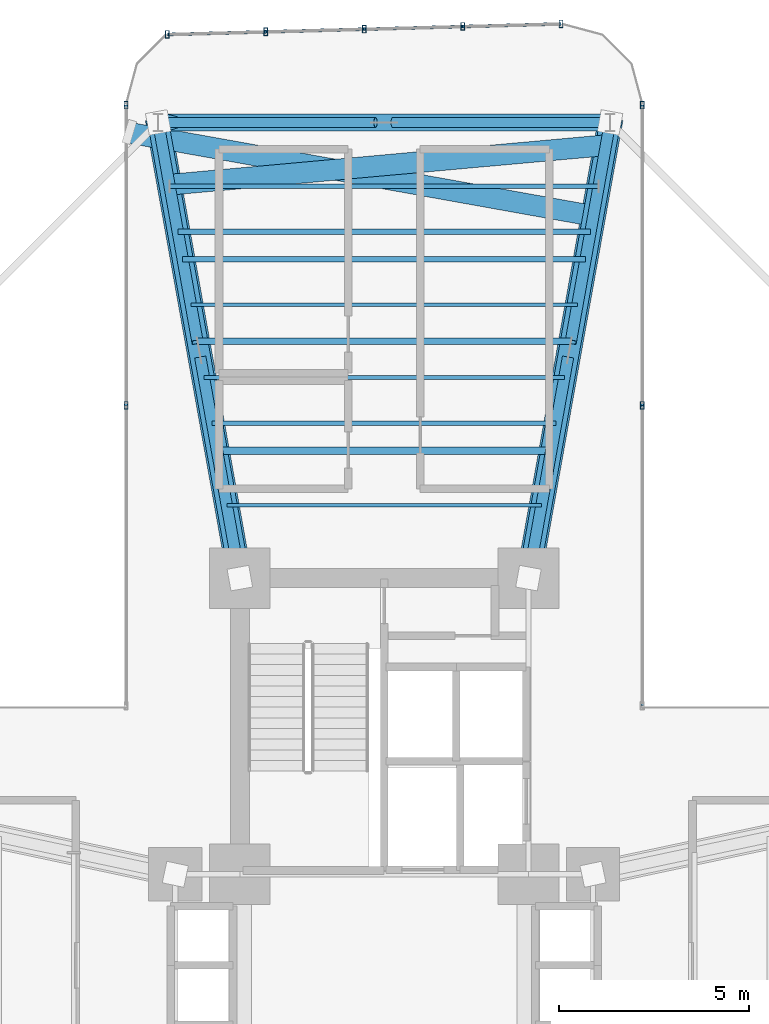
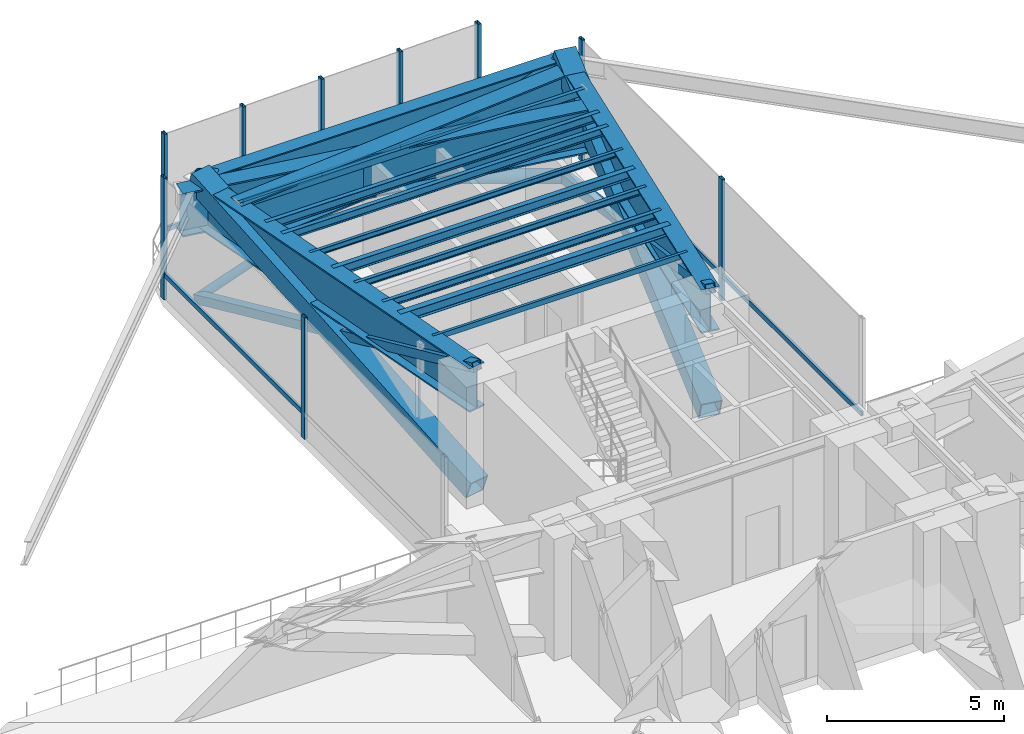
# One storey, part 8 of 18: 25 members, 14 beams, 3 elements without a shape of their own.
"""IFC4 building model written with IfcOpenShell, lengths in metres."""

from ifc_helpers import new_model, si_unit, direction, frame, origin, origin_2d, place, context, subcontext, project, spatial, hollow_rectangle, hollow_circle, i_section, extrude, source, transform, mapped, material, material_profile, profile_set, type_object, element, aggregate, save


model = new_model("IFC4")

# Units and contexts
model_context = context("Model", 3, precision=1e-05, world=origin(), true_north=direction((0.0, 1.0)))
body_context = subcontext(model_context, "Body", "Model", "MODEL_VIEW")
ifc_project = project(units=[si_unit("LENGTHUNIT", "METRE"), si_unit("AREAUNIT", "SQUARE_METRE"), si_unit("VOLUMEUNIT", "CUBIC_METRE"), si_unit("PLANEANGLEUNIT", "RADIAN"), si_unit("MASSUNIT", "GRAM", prefix="KILO")], contexts=[model_context])

# Site, building, storey
site_placement = place(None, origin())
site = spatial("IfcSite", under=ifc_project, at=site_placement, CompositionType="ELEMENT")
building_placement = place(site_placement, origin())
building = spatial("IfcBuilding", under=site, at=building_placement, Name="Sahyath Konkavel Grand Hotel", CompositionType="ELEMENT")
storey_placement = place(building_placement, frame((0.0, 0.0, 74.5)))
storey = spatial("IfcBuildingStorey", under=building, at=storey_placement, Name="L20", CompositionType="ELEMENT", Elevation=74.5)

# Beams
ifc_material_1 = material(Name="Steel E450", Category="steel")
ifc_material_profile_1 = material_profile(ifc_material_1, i_section(OverallWidth=0.550048828125, OverallDepth=1.5, WebThickness=0.028076171875, FlangeThickness=0.050048828125, at=origin_2d()), Name="BPG 1500x550")
ifc_profile_set_1 = profile_set([ifc_material_profile_1], Name="Steel E450")
beam_type_1 = type_object("IfcBeamType", Name="BM-BPG1500", PredefinedType="BEAM", material=ifc_profile_set_1)
shared_shape_1 = source(origin(), body_context, "Body", "SweptSolid", [
    extrude(i_section(OverallWidth=0.550048828125, OverallDepth=1.5, WebThickness=0.028076171875, FlangeThickness=0.050048828125, at=origin_2d()), origin(), (0.0, 0.0, 1.0), 12.191162109375),
])
for number, where, z_axis, x_axis, name in (
    (1, (3.800048828125, 10.199951171875, 3.429931640625), (0.176350650305, 0.984327409014, 0.0), (-0.984327409014, 0.176350650305, 0.0), "L20 Setback Transfer Girder NA"),
    (2, (-3.800048828125, 10.199951171875, 3.429931640625), (-0.176350650305, 0.984327409014, 0.0), (-0.984327409014, -0.176350650305, 0.0), "L20 Setback Transfer Girder NB"),
):
    element("IfcBeam", number, at=place(storey_placement, frame(where, z_axis=z_axis, x_axis=x_axis)), inside=storey, type_object=beam_type_1, Name=name, PredefinedType="BEAM", context=body_context, shape_type="MappedRepresentation", body=[
        mapped(shared_shape_1, transform((0.0, 0.0, 0.0), scale=1.0)),
    ])

# Members
ifc_material_profile_2 = material_profile(ifc_material_1, hollow_rectangle(XDim=0.64990234375, YDim=0.64990234375, WallThickness=0.031982421875, at=origin_2d()), Name="BOX 650x650x32")
ifc_profile_set_2 = profile_set([ifc_material_profile_2], Name="Steel E450")
member_type_1 = type_object("IfcMemberType", Name="BR-BOX650", PredefinedType="BRACE", material=ifc_profile_set_2)
shared_shape_2 = source(origin(), body_context, "Body", "SweptSolid", [
    extrude(hollow_rectangle(XDim=0.64990234375, YDim=0.64990234375, WallThickness=0.031982421875, at=origin_2d()), origin(), (0.0, 0.0, 1.0), 12.88134765625),
])
for number, where, z_axis, x_axis, name in (
    (3, (3.800048828125, 10.199951171875, 0.010009765625), (0.166901511413, 0.931585633543, 0.322942863158), (-0.984327409014, 0.176350650305, 0.0), "L20 Core Outrigger Truss NA Continuous Diagonal 1"),
    (4, (-3.800048828125, 10.199951171875, 0.010009765625), (-0.166901511413, 0.931585633543, 0.322942863158), (-0.984327409014, -0.176350650305, 0.0), "L20 Core Outrigger Truss NB Continuous Diagonal 1"),
):
    element("IfcMember", number, at=place(storey_placement, frame(where, z_axis=z_axis, x_axis=x_axis)), inside=storey, type_object=member_type_1, Name=name, PredefinedType="BRACE", context=body_context, shape_type="MappedRepresentation", body=[
        mapped(shared_shape_2, transform((0.0, 0.0, 0.0), scale=1.0)),
    ])

# Beams
ifc_material_2 = material(Name="Steel E350", Category="steel")
ifc_material_profile_3 = material_profile(ifc_material_2, i_section(OverallWidth=0.199951171875, OverallDepth=0.35009765625, WebThickness=0.008056640625, FlangeThickness=0.011474609375, FilletRadius=0.013916015625, at=origin_2d()), Name="ISWB 350")
ifc_profile_set_3 = profile_set([ifc_material_profile_3], Name="Steel E350")
beam_type_2 = type_object("IfcBeamType", Name="BM-ISWB350", PredefinedType="BEAM", material=ifc_profile_set_3)
shared_shape_3 = source(origin(), body_context, "Body", "SweptSolid", [
    extrude(i_section(OverallWidth=0.199951171875, OverallDepth=0.35009765625, WebThickness=0.008056640625, FlangeThickness=0.011474609375, FilletRadius=0.013916015625, at=origin_2d()), origin(), (0.0, 0.0, 1.0), 8.80419921875),
])
beam_1_placement = place(storey_placement, frame((4.402099609375, 13.56005859375, 4.0048828125), z_axis=(-1.0, 0.0, 0.0), x_axis=(0.0, -1.0, 0.0)))
element("IfcBeam", 5, at=beam_1_placement, inside=storey, type_object=beam_type_2, Name="L20 Secondary Floor Beam N-1", PredefinedType="BEAM", context=body_context, shape_type="MappedRepresentation", body=[
    mapped(shared_shape_3, transform((0.0, 0.0, 0.0), scale=1.0)),
])
ifc_material_profile_4 = material_profile(ifc_material_2, i_section(OverallWidth=0.1650390625, OverallDepth=0.324951171875, WebThickness=0.007080078125, FlangeThickness=0.009765625, FilletRadius=0.014892578125, at=origin_2d()), Name="ISLB 325")
ifc_profile_set_4 = profile_set([ifc_material_profile_4], Name="Steel E350")
beam_type_3 = type_object("IfcBeamType", Name="BM-ISLB325", PredefinedType="BEAM", material=ifc_profile_set_4)
shared_shape_4 = source(origin(), body_context, "Body", "SweptSolid", [
    extrude(i_section(OverallWidth=0.1650390625, OverallDepth=0.324951171875, WebThickness=0.007080078125, FlangeThickness=0.009765625, FilletRadius=0.014892578125, at=origin_2d()), origin(), (0.0, 0.0, 1.0), 9.8359375),
])
beam_2_placement = place(storey_placement, frame((4.91796875, 16.43994140625, 4.017578125), z_axis=(-1.0, 0.0, 0.0), x_axis=(0.0, -1.0, 0.0)))
element("IfcBeam", 6, at=beam_2_placement, inside=storey, type_object=beam_type_3, Name="L20 Secondary Floor Beam N-2", PredefinedType="BEAM", context=body_context, shape_type="MappedRepresentation", body=[
    mapped(shared_shape_4, transform((0.0, 0.0, 0.0), scale=1.0)),
])
ifc_material_profile_5 = material_profile(ifc_material_2, i_section(OverallWidth=0.139892578125, OverallDepth=0.300048828125, WebThickness=0.0078125, FlangeThickness=0.01318359375, FilletRadius=0.013916015625, at=origin_2d()), Name="ISMB 300")
ifc_profile_set_5 = profile_set([ifc_material_profile_5], Name="Steel E350")
beam_type_4 = type_object("IfcBeamType", Name="BM-ISMB300", PredefinedType="BEAM", material=ifc_profile_set_5)
shared_shape_5 = source(origin(), body_context, "Body", "SweptSolid", [
    extrude(i_section(OverallWidth=0.139892578125, OverallDepth=0.300048828125, WebThickness=0.0078125, FlangeThickness=0.01318359375, FilletRadius=0.013916015625, at=origin_2d()), origin(), (0.0, 0.0, 1.0), 10.8681640625),
])
beam_3_placement = place(storey_placement, frame((5.43408203125, 19.320068359375, 4.030029296875), z_axis=(-1.0, 0.0, 0.0), x_axis=(0.0, -1.0, 0.0)))
element("IfcBeam", 7, at=beam_3_placement, inside=storey, type_object=beam_type_4, Name="L20 Secondary Floor Beam N-3", PredefinedType="BEAM", context=body_context, shape_type="MappedRepresentation", body=[
    mapped(shared_shape_5, transform((0.0, 0.0, 0.0), scale=1.0)),
])
shared_shape_6 = source(origin(), body_context, "Body", "SweptSolid", [
    extrude(i_section(OverallWidth=0.550048828125, OverallDepth=1.5, WebThickness=0.028076171875, FlangeThickness=0.050048828125, at=origin_2d()), origin(), (0.0, 0.0, 1.0), 11.545654296875),
])
beam_4_placement = place(storey_placement, frame((5.842529296875, 21.60009765625, 3.429931640625), z_axis=(-0.995938319942, -0.09003811899, 0.0), x_axis=(0.09003811899, -0.995938319942, 0.0)))
element("IfcBeam", 8, at=beam_4_placement, inside=storey, type_object=beam_type_1, Name="L20 Setback Cross Transfer Girder N-1", PredefinedType="BEAM", context=body_context, shape_type="MappedRepresentation", body=[
    mapped(shared_shape_6, transform((0.0, 0.0, 0.0), scale=1.0)),
])
shared_shape_7 = source(origin(), body_context, "Body", "SweptSolid", [
    extrude(i_section(OverallWidth=0.550048828125, OverallDepth=1.5, WebThickness=0.028076171875, FlangeThickness=0.050048828125, at=origin_2d()), origin(), (0.0, 0.0, 1.0), 12.41650390625),
])
beam_5_placement = place(storey_placement, frame((5.509033203125, 19.73828125, 3.429931640625), z_axis=(-0.984326914453, 0.176353410753, 0.0), x_axis=(-0.176353410753, -0.984326914453, 0.0)))
element("IfcBeam", 9, at=beam_5_placement, inside=storey, type_object=beam_type_1, Name="L20 Setback Cross Transfer Girder N-2", PredefinedType="BEAM", context=body_context, shape_type="MappedRepresentation", body=[
    mapped(shared_shape_7, transform((0.0, 0.0, 0.0), scale=1.0)),
])
ifc_material_profile_6 = material_profile(ifc_material_1, i_section(OverallWidth=0.449951171875, OverallDepth=1.199951171875, WebThickness=0.02197265625, FlangeThickness=0.0400390625, at=origin_2d()), Name="BPG 1200x450")
ifc_profile_set_6 = profile_set([ifc_material_profile_6], Name="Steel E450")
beam_type_5 = type_object("IfcBeamType", Name="BM-BPG1200", PredefinedType="BEAM", material=ifc_profile_set_6)
shared_shape_8 = source(origin(), body_context, "Body", "SweptSolid", [
    extrude(i_section(OverallWidth=0.449951171875, OverallDepth=1.199951171875, WebThickness=0.02197265625, FlangeThickness=0.0400390625, at=origin_2d()), origin(), (0.0, 0.0, 1.0), 11.89990234375),
])
beam_6_placement = place(storey_placement, frame((5.949951171875, 22.199951171875, 3.580078125), z_axis=(-1.0, 0.0, 0.0), x_axis=(0.0, -1.0, 0.0)))
element("IfcBeam", 10, at=beam_6_placement, inside=storey, type_object=beam_type_5, Name="L20 Wing Tip Edge Beam N", PredefinedType="BEAM", context=body_context, shape_type="MappedRepresentation", body=[
    mapped(shared_shape_8, transform((0.0, 0.0, 0.0), scale=1.0)),
])

# Members
ifc_material_profile_7 = material_profile(ifc_material_1, hollow_rectangle(XDim=0.300048828125, YDim=0.300048828125, WallThickness=0.01611328125, at=origin_2d()), Name="SHS 300x300x16")
ifc_profile_set_7 = profile_set([ifc_material_profile_7], Name="Steel E450")
member_type_2 = type_object("IfcMemberType", Name="BR-SHS300", PredefinedType="BRACE", material=ifc_profile_set_7)
shared_shape_9 = source(origin(), body_context, "Body", "SweptSolid", [
    extrude(hollow_rectangle(XDim=0.300048828125, YDim=0.300048828125, WallThickness=0.01611328125, at=origin_2d()), origin(), (0.0, 0.0, 1.0), 6.20068359375),
])
for number, where, z_axis, x_axis, name in (
    (11, (5.949951171875, 22.199951171875, 0.010009765625), (-0.16690560693, -0.931584491619, 0.322944040586), (0.984326620303, -0.176355052556, 0.0), "L20 Core Outrigger Truss NA Split Lower Diagonal 2A"),
    (12, (4.8349609375, 15.976318359375, 2.16748046875), (-0.16690560693, -0.931584491619, 0.322944040586), (0.984326620303, -0.176355052556, 0.0), "L20 Core Outrigger Truss NA Split Upper Diagonal 2B"),
    (13, (-5.949951171875, 22.199951171875, 0.010009765625), (0.16690560693, -0.931584491619, 0.322944040586), (0.984326620303, 0.176355052556, 0.0), "L20 Core Outrigger Truss NB Split Lower Diagonal 2A"),
    (14, (-4.8349609375, 15.976318359375, 2.16748046875), (0.16690560693, -0.931584491619, 0.322944040586), (0.984326620303, 0.176355052556, 0.0), "L20 Core Outrigger Truss NB Split Upper Diagonal 2B"),
):
    element("IfcMember", number, at=place(storey_placement, frame(where, z_axis=z_axis, x_axis=x_axis)), inside=storey, type_object=member_type_2, Name=name, PredefinedType="BRACE", context=body_context, shape_type="MappedRepresentation", body=[
        mapped(shared_shape_9, transform((0.0, 0.0, 0.0), scale=1.0)),
    ])
ifc_material_profile_8 = material_profile(ifc_material_1, hollow_circle(Radius=0.228515625, WallThickness=0.02001953125, at=origin_2d()), Name="CHS 457.0x20")
ifc_profile_set_8 = profile_set([ifc_material_profile_8], Name="Steel E450")
member_type_3 = type_object("IfcMemberType", Name="BR-CHS457", PredefinedType="BRACE", material=ifc_profile_set_8)
shared_shape_10 = source(origin(), body_context, "Body", "SweptSolid", [
    extrude(hollow_circle(Radius=0.228515625, WallThickness=0.02001953125, at=origin_2d()), origin(), (0.0, 0.0, 1.0), 12.60595703125),
])
member_1_placement = place(storey_placement, frame((5.949951171875, 22.199951171875, 0.010009765625), z_axis=(-0.943983289656, 0.0, 0.329993255764), x_axis=(0.0, -1.0, 0.0)))
element("IfcMember", 15, at=member_1_placement, inside=storey, type_object=member_type_3, Name="L20 Perimeter Belt Truss TIP-N Continuous Diagonal 1", PredefinedType="BRACE", context=body_context, shape_type="MappedRepresentation", body=[
    mapped(shared_shape_10, transform((0.0, 0.0, 0.0), scale=1.0)),
])
ifc_material_profile_9 = material_profile(ifc_material_2, hollow_circle(Radius=0.136474609375, WallThickness=0.011962890625, at=origin_2d()), Name="CHS 273.0x12")
ifc_profile_set_9 = profile_set([ifc_material_profile_9], Name="Steel E350")
member_type_4 = type_object("IfcMemberType", Name="BR-CHS273", PredefinedType="BRACE", material=ifc_profile_set_9)
shared_shape_11 = source(origin(), body_context, "Body", "SweptSolid", [
    extrude(hollow_circle(Radius=0.136474609375, WallThickness=0.011962890625, at=origin_2d()), origin(), (0.0, 0.0, 1.0), 6.06298828125),
])
for number, where, z_axis, x_axis, name in (
    (16, (-5.949951171875, 22.199951171875, 0.010009765625), (0.943984470097, 0.0, 0.329989878959), (0.0, 1.0, 0.0), "L20 Perimeter Belt Truss TIP-N Split Lower Diagonal 2A"),
    (17, (0.2265625, 22.199951171875, 2.169189453125), (0.943984470097, 0.0, 0.329989878959), (0.0, 1.0, 0.0), "L20 Perimeter Belt Truss TIP-N Split Upper Diagonal 2B"),
):
    element("IfcMember", number, at=place(storey_placement, frame(where, z_axis=z_axis, x_axis=x_axis)), inside=storey, type_object=member_type_4, Name=name, PredefinedType="BRACE", context=body_context, shape_type="MappedRepresentation", body=[
        mapped(shared_shape_11, transform((0.0, 0.0, 0.0), scale=1.0)),
    ])

# Beams
ifc_material_profile_10 = material_profile(ifc_material_2, hollow_rectangle(XDim=0.090087890625, YDim=0.179931640625, WallThickness=0.008056640625, at=origin_2d()), Name="RHS 180x90x8")
ifc_profile_set_10 = profile_set([ifc_material_profile_10], Name="Steel E350")
beam_type_6 = type_object("IfcBeamType", Name="BM-RHS180", PredefinedType="BEAM", material=ifc_profile_set_10)
shared_shape_12 = source(origin(), body_context, "Body", "SweptSolid", [
    extrude(hollow_rectangle(XDim=0.090087890625, YDim=0.179931640625, WallThickness=0.008056640625, at=origin_2d()), origin(), (0.0, 0.0, 1.0), 8.2880859375),
])
beam_7_placement = place(storey_placement, frame((4.14404296875, 12.1201171875, 4.090087890625), z_axis=(-1.0, 0.0, 0.0), x_axis=(0.0, -1.0, 0.0)))
element("IfcBeam", 18, at=beam_7_placement, inside=storey, type_object=beam_type_6, Name="L20 Composite Deck Sub-Beam N-1", PredefinedType="BEAM", context=body_context, shape_type="MappedRepresentation", body=[
    mapped(shared_shape_12, transform((0.0, 0.0, 0.0), scale=1.0)),
])
ifc_material_profile_11 = material_profile(ifc_material_2, i_section(OverallWidth=0.125, OverallDepth=0.25, WebThickness=0.0068359375, FlangeThickness=0.012451171875, FilletRadius=0.012939453125, at=origin_2d()), Name="ISMB 250")
ifc_profile_set_11 = profile_set([ifc_material_profile_11], Name="Steel E350")
beam_type_7 = type_object("IfcBeamType", Name="BM-ISMB250", PredefinedType="BEAM", material=ifc_profile_set_11)
shared_shape_13 = source(origin(), body_context, "Body", "SweptSolid", [
    extrude(i_section(OverallWidth=0.125, OverallDepth=0.25, WebThickness=0.0068359375, FlangeThickness=0.012451171875, FilletRadius=0.012939453125, at=origin_2d()), origin(), (0.0, 0.0, 1.0), 9.06201171875),
])
beam_8_placement = place(storey_placement, frame((4.531005859375, 14.280029296875, 4.054931640625), z_axis=(-1.0, 0.0, 0.0), x_axis=(0.0, -1.0, 0.0)))
element("IfcBeam", 19, at=beam_8_placement, inside=storey, type_object=beam_type_7, Name="L20 Composite Deck Sub-Beam N-2", PredefinedType="BEAM", context=body_context, shape_type="MappedRepresentation", body=[
    mapped(shared_shape_13, transform((0.0, 0.0, 0.0), scale=1.0)),
])
ifc_material_profile_12 = material_profile(ifc_material_2, i_section(OverallWidth=0.110107421875, OverallDepth=0.22509765625, WebThickness=0.006591796875, FlangeThickness=0.01171875, FilletRadius=0.011962890625, at=origin_2d()), Name="ISMB 225")
ifc_profile_set_12 = profile_set([ifc_material_profile_12], Name="Steel E350")
beam_type_8 = type_object("IfcBeamType", Name="BM-ISMB225", PredefinedType="BEAM", material=ifc_profile_set_12)
shared_shape_14 = source(origin(), body_context, "Body", "SweptSolid", [
    extrude(i_section(OverallWidth=0.110107421875, OverallDepth=0.22509765625, WebThickness=0.006591796875, FlangeThickness=0.01171875, FilletRadius=0.011962890625, at=origin_2d()), origin(), (0.0, 0.0, 1.0), 9.4921875),
])
beam_9_placement = place(storey_placement, frame((4.74609375, 15.47998046875, 4.0673828125), z_axis=(-1.0, 0.0, 0.0), x_axis=(0.0, -1.0, 0.0)))
element("IfcBeam", 20, at=beam_9_placement, inside=storey, type_object=beam_type_8, Name="L20 Composite Deck Sub-Beam N-3", PredefinedType="BEAM", context=body_context, shape_type="MappedRepresentation", body=[
    mapped(shared_shape_14, transform((0.0, 0.0, 0.0), scale=1.0)),
])
ifc_material_profile_13 = material_profile(ifc_material_2, i_section(OverallWidth=0.10009765625, OverallDepth=0.199951171875, WebThickness=0.005615234375, FlangeThickness=0.0107421875, FilletRadius=0.010986328125, at=origin_2d()), Name="ISMB 200")
ifc_profile_set_13 = profile_set([ifc_material_profile_13], Name="Steel E350")
beam_type_9 = type_object("IfcBeamType", Name="BM-ISMB200", PredefinedType="BEAM", material=ifc_profile_set_13)
shared_shape_15 = source(origin(), body_context, "Body", "SweptSolid", [
    extrude(i_section(OverallWidth=0.10009765625, OverallDepth=0.199951171875, WebThickness=0.005615234375, FlangeThickness=0.0107421875, FilletRadius=0.010986328125, at=origin_2d()), origin(), (0.0, 0.0, 1.0), 10.18017578125),
])
beam_10_placement = place(storey_placement, frame((5.090087890625, 17.39990234375, 4.080078125), z_axis=(-1.0, 0.0, 0.0), x_axis=(0.0, -1.0, 0.0)))
element("IfcBeam", 21, at=beam_10_placement, inside=storey, type_object=beam_type_9, Name="L20 Composite Deck Sub-Beam N-4", PredefinedType="BEAM", context=body_context, shape_type="MappedRepresentation", body=[
    mapped(shared_shape_15, transform((0.0, 0.0, 0.0), scale=1.0)),
])
ifc_material_profile_14 = material_profile(ifc_material_2, i_section(OverallWidth=0.139892578125, OverallDepth=0.27490234375, WebThickness=0.00634765625, FlangeThickness=0.0087890625, FilletRadius=0.012939453125, at=origin_2d()), Name="ISLB 275")
ifc_profile_set_14 = profile_set([ifc_material_profile_14], Name="Steel E350")
beam_type_10 = type_object("IfcBeamType", Name="BM-ISLB275", PredefinedType="BEAM", material=ifc_profile_set_14)
shared_shape_16 = source(origin(), body_context, "Body", "SweptSolid", [
    extrude(i_section(OverallWidth=0.139892578125, OverallDepth=0.27490234375, WebThickness=0.00634765625, FlangeThickness=0.0087890625, FilletRadius=0.012939453125, at=origin_2d()), origin(), (0.0, 0.0, 1.0), 10.60986328125),
])
beam_11_placement = place(storey_placement, frame((5.304931640625, 18.60009765625, 4.04248046875), z_axis=(-1.0, 0.0, 0.0), x_axis=(0.0, -1.0, 0.0)))
element("IfcBeam", 22, at=beam_11_placement, inside=storey, type_object=beam_type_10, Name="L20 Composite Deck Sub-Beam N-5", PredefinedType="BEAM", context=body_context, shape_type="MappedRepresentation", body=[
    mapped(shared_shape_16, transform((0.0, 0.0, 0.0), scale=1.0)),
])
ifc_material_profile_15 = material_profile(ifc_material_2, hollow_rectangle(XDim=0.1201171875, YDim=0.219970703125, WallThickness=0.010009765625, at=origin_2d()), Name="RHS 220x120x10")
ifc_profile_set_15 = profile_set([ifc_material_profile_15], Name="Steel E350")
beam_type_11 = type_object("IfcBeamType", Name="BM-RHS220", PredefinedType="BEAM", material=ifc_profile_set_15)
shared_shape_17 = source(origin(), body_context, "Body", "SweptSolid", [
    extrude(hollow_rectangle(XDim=0.1201171875, YDim=0.219970703125, WallThickness=0.010009765625, at=origin_2d()), origin(), (0.0, 0.0, 1.0), 11.2978515625),
])
beam_12_placement = place(storey_placement, frame((5.64892578125, 20.52001953125, 4.070068359375), z_axis=(-1.0, 0.0, 0.0), x_axis=(0.0, -1.0, 0.0)))
element("IfcBeam", 23, at=beam_12_placement, inside=storey, type_object=beam_type_11, Name="L20 Composite Deck Sub-Beam N-6", PredefinedType="BEAM", context=body_context, shape_type="MappedRepresentation", body=[
    mapped(shared_shape_17, transform((0.0, 0.0, 0.0), scale=1.0)),
])

# Curtain wall, members
ifc_material_3 = material(Name="Anodised Bronze Aluminium & Low-E Glazing", Category="aluminium")
curtain_wall_type = type_object("IfcCurtainWallType", Name="CW-SKYLOBBY", PredefinedType="NOTDEFINED", material=ifc_material_3)
curtain_wall_1_placement = place(storey_placement, origin())
curtain_wall_1 = element("IfcCurtainWall", 24, at=curtain_wall_1_placement, inside=storey, type_object=curtain_wall_type, Name="L20 Unitised Curtain Wall RF8", PredefinedType="NOTDEFINED")
ifc_material_4 = material(Name="Anodised Bronze Aluminium", Category="aluminium")
ifc_material_profile_16 = material_profile(ifc_material_4, hollow_rectangle(XDim=0.10009765625, YDim=0.199951171875, WallThickness=0.008056640625, at=origin_2d()), Name="RHS 200x100x8")
ifc_profile_set_16 = profile_set([ifc_material_profile_16], Name="Anodised Bronze Aluminium")
member_type_5 = type_object("IfcMemberType", Name="CW-MUL-200", PredefinedType="MULLION", material=ifc_profile_set_16)
shared_shape_18 = source(origin(), body_context, "Body", "SweptSolid", [
    extrude(hollow_rectangle(XDim=0.10009765625, YDim=0.199951171875, WallThickness=0.008056640625, at=origin_2d()), origin(), (0.0, 0.0, 1.0), 4.179931640625),
])
member_2_placement = place(storey_placement, frame((6.800048828125, 14.75, 0.0), z_axis=(0.0, 0.0, 1.0), x_axis=(1.0, 0.0, 0.0)))
member_2 = element("IfcMember", 25, at=member_2_placement, type_object=member_type_5, Name="L20 Curtain Wall Mullion RF8-1", PredefinedType="MULLION", context=body_context, shape_type="MappedRepresentation", body=[
    mapped(shared_shape_18, transform((0.0, 0.0, 0.0), scale=1.0)),
])
member_3_placement = place(storey_placement, frame((6.800048828125, 22.659912109375, 0.0), z_axis=(0.0, 0.0, 1.0), x_axis=(1.0, 0.0, 0.0)))
member_3 = element("IfcMember", 26, at=member_3_placement, type_object=member_type_5, Name="L20 Curtain Wall Mullion RF8-2", PredefinedType="MULLION", context=body_context, shape_type="MappedRepresentation", body=[
    mapped(shared_shape_18, transform((0.0, 0.0, 0.0), scale=1.0)),
])

curtain_wall_2_placement = place(storey_placement, origin())
curtain_wall_2 = element("IfcCurtainWall", 27, at=curtain_wall_2_placement, inside=storey, type_object=curtain_wall_type, Name="L20 Unitised Curtain Wall RF12", PredefinedType="NOTDEFINED")
member_4_placement = place(storey_placement, frame((4.659912109375, 24.798828125, 0.0), z_axis=(0.0, 0.0, 1.0), x_axis=(1.0, 0.0, 0.0)))
member_4 = element("IfcMember", 28, at=member_4_placement, type_object=member_type_5, Name="L20 Curtain Wall Mullion RF12-0", PredefinedType="MULLION", context=body_context, shape_type="MappedRepresentation", body=[
    mapped(shared_shape_18, transform((0.0, 0.0, 0.0), scale=1.0)),
])
member_5_placement = place(storey_placement, frame((2.0673828125, 24.72900390625, 0.0), z_axis=(0.0, 0.0, 1.0), x_axis=(1.0, 0.0, 0.0)))
member_5 = element("IfcMember", 29, at=member_5_placement, type_object=member_type_5, Name="L20 Curtain Wall Mullion RF12-1", PredefinedType="MULLION", context=body_context, shape_type="MappedRepresentation", body=[
    mapped(shared_shape_18, transform((0.0, 0.0, 0.0), scale=1.0)),
])
member_6_placement = place(storey_placement, frame((-0.52490234375, 24.6591796875, 0.0), z_axis=(0.0, 0.0, 1.0), x_axis=(1.0, 0.0, 0.0)))
member_6 = element("IfcMember", 30, at=member_6_placement, type_object=member_type_5, Name="L20 Curtain Wall Mullion RF12-2", PredefinedType="MULLION", context=body_context, shape_type="MappedRepresentation", body=[
    mapped(shared_shape_18, transform((0.0, 0.0, 0.0), scale=1.0)),
])
member_7_placement = place(storey_placement, frame((-3.117431640625, 24.589599609375, 0.0), z_axis=(0.0, 0.0, 1.0), x_axis=(1.0, 0.0, 0.0)))
member_7 = element("IfcMember", 31, at=member_7_placement, type_object=member_type_5, Name="L20 Curtain Wall Mullion RF12-3", PredefinedType="MULLION", context=body_context, shape_type="MappedRepresentation", body=[
    mapped(shared_shape_18, transform((0.0, 0.0, 0.0), scale=1.0)),
])
member_8_placement = place(storey_placement, frame((-5.7099609375, 24.519775390625, 0.0), z_axis=(0.0, 0.0, 1.0), x_axis=(1.0, 0.0, 0.0)))
member_8 = element("IfcMember", 32, at=member_8_placement, type_object=member_type_5, Name="L20 Curtain Wall Mullion RF12-4", PredefinedType="MULLION", context=body_context, shape_type="MappedRepresentation", body=[
    mapped(shared_shape_18, transform((0.0, 0.0, 0.0), scale=1.0)),
])

curtain_wall_3_placement = place(storey_placement, origin())
curtain_wall_3 = element("IfcCurtainWall", 33, at=curtain_wall_3_placement, inside=storey, type_object=curtain_wall_type, Name="L20 Unitised Curtain Wall RF15", PredefinedType="NOTDEFINED")
member_9_placement = place(storey_placement, frame((-6.800048828125, 22.659912109375, 0.0), z_axis=(0.0, 0.0, 1.0), x_axis=(1.0, 0.0, 0.0)))
member_9 = element("IfcMember", 34, at=member_9_placement, type_object=member_type_5, Name="L20 Curtain Wall Mullion RF15-0", PredefinedType="MULLION", context=body_context, shape_type="MappedRepresentation", body=[
    mapped(shared_shape_18, transform((0.0, 0.0, 0.0), scale=1.0)),
])
member_10_placement = place(storey_placement, frame((-6.800048828125, 14.75, 0.0), z_axis=(0.0, 0.0, 1.0), x_axis=(1.0, 0.0, 0.0)))
member_10 = element("IfcMember", 35, at=member_10_placement, type_object=member_type_5, Name="L20 Curtain Wall Mullion RF15-1", PredefinedType="MULLION", context=body_context, shape_type="MappedRepresentation", body=[
    mapped(shared_shape_18, transform((0.0, 0.0, 0.0), scale=1.0)),
])

# Member
ifc_material_profile_17 = material_profile(ifc_material_4, hollow_rectangle(XDim=0.080078125, YDim=0.159912109375, WallThickness=0.006103515625, at=origin_2d()), Name="RHS 160x80x6")
ifc_profile_set_17 = profile_set([ifc_material_profile_17], Name="Anodised Bronze Aluminium")
member_type_6 = type_object("IfcMemberType", Name="CW-TRN-160", PredefinedType="USERDEFINED", material=ifc_profile_set_17)
shared_shape_19 = source(origin(), body_context, "Body", "SweptSolid", [
    extrude(hollow_rectangle(XDim=0.080078125, YDim=0.159912109375, WallThickness=0.006103515625, at=origin_2d()), origin(), (0.0, 0.0, 1.0), 7.909912109375),
])
member_11_placement = place(storey_placement, frame((6.800048828125, 6.840087890625, 0.85009765625), z_axis=(0.0, 1.0, 0.0), x_axis=(-1.0, 0.0, 0.0)))
member_11 = element("IfcMember", 36, at=member_11_placement, type_object=member_type_6, Name="L20 Curtain Wall Transom RF8-0-spandrel", ObjectType="TRANSOM", PredefinedType="USERDEFINED", context=body_context, shape_type="MappedRepresentation", body=[
    mapped(shared_shape_19, transform((0.0, 0.0, 0.0), scale=1.0)),
])

member_12_placement = place(storey_placement, frame((6.800048828125, 14.75, 0.85009765625), z_axis=(0.0, 1.0, 0.0), x_axis=(-1.0, 0.0, 0.0)))
member_12 = element("IfcMember", 37, at=member_12_placement, type_object=member_type_6, Name="L20 Curtain Wall Transom RF8-1-spandrel", ObjectType="TRANSOM", PredefinedType="USERDEFINED", context=body_context, shape_type="MappedRepresentation", body=[
    mapped(shared_shape_19, transform((0.0, 0.0, 0.0), scale=1.0)),
])

aggregate(curtain_wall_1, [member_2, member_3, member_11, member_12])

member_13_placement = place(storey_placement, frame((-6.800048828125, 22.659912109375, 0.85009765625), z_axis=(0.0, -1.0, 0.0), x_axis=(1.0, 0.0, 0.0)))
member_13 = element("IfcMember", 38, at=member_13_placement, type_object=member_type_6, Name="L20 Curtain Wall Transom RF15-0-spandrel", ObjectType="TRANSOM", PredefinedType="USERDEFINED", context=body_context, shape_type="MappedRepresentation", body=[
    mapped(shared_shape_19, transform((0.0, 0.0, 0.0), scale=1.0)),
])

aggregate(curtain_wall_3, [member_9, member_10, member_13])

shared_shape_20 = source(origin(), body_context, "Body", "SweptSolid", [
    extrude(hollow_rectangle(XDim=0.080078125, YDim=0.159912109375, WallThickness=0.006103515625, at=origin_2d()), origin(), (0.0, 0.0, 1.0), 2.593505859375),
])
member_14_placement = place(storey_placement, frame((4.659912109375, 24.798828125, 0.85009765625), z_axis=(-0.999637507825, -0.026923093252, 0.0), x_axis=(0.026923093252, -0.999637507825, 0.0)))
member_14 = element("IfcMember", 39, at=member_14_placement, type_object=member_type_6, Name="L20 Curtain Wall Transom RF12-0-spandrel", ObjectType="TRANSOM", PredefinedType="USERDEFINED", context=body_context, shape_type="MappedRepresentation", body=[
    mapped(shared_shape_20, transform((0.0, 0.0, 0.0), scale=1.0)),
])

member_15_placement = place(storey_placement, frame((-0.52490234375, 24.6591796875, 0.85009765625), z_axis=(-0.999640036937, -0.02682902444, 0.0), x_axis=(0.02682902444, -0.999640036937, 0.0)))
member_15 = element("IfcMember", 40, at=member_15_placement, type_object=member_type_6, Name="L20 Curtain Wall Transom RF12-2-spandrel", ObjectType="TRANSOM", PredefinedType="USERDEFINED", context=body_context, shape_type="MappedRepresentation", body=[
    mapped(shared_shape_20, transform((0.0, 0.0, 0.0), scale=1.0)),
])

member_16_placement = place(storey_placement, frame((-3.117431640625, 24.589599609375, 0.85009765625), z_axis=(-0.999637507825, -0.026923093252, 0.0), x_axis=(0.026923093252, -0.999637507825, 0.0)))
member_16 = element("IfcMember", 41, at=member_16_placement, type_object=member_type_6, Name="L20 Curtain Wall Transom RF12-3-spandrel", ObjectType="TRANSOM", PredefinedType="USERDEFINED", context=body_context, shape_type="MappedRepresentation", body=[
    mapped(shared_shape_20, transform((0.0, 0.0, 0.0), scale=1.0)),
])

shared_shape_21 = source(origin(), body_context, "Body", "SweptSolid", [
    extrude(hollow_rectangle(XDim=0.080078125, YDim=0.159912109375, WallThickness=0.006103515625, at=origin_2d()), origin(), (0.0, 0.0, 1.0), 2.59326171875),
])
member_17_placement = place(storey_placement, frame((2.0673828125, 24.72900390625, 0.85009765625), z_axis=(-0.99963743958, -0.026925627022, 0.0), x_axis=(0.026925627022, -0.99963743958, 0.0)))
member_17 = element("IfcMember", 42, at=member_17_placement, type_object=member_type_6, Name="L20 Curtain Wall Transom RF12-1-spandrel", ObjectType="TRANSOM", PredefinedType="USERDEFINED", context=body_context, shape_type="MappedRepresentation", body=[
    mapped(shared_shape_21, transform((0.0, 0.0, 0.0), scale=1.0)),
])

aggregate(curtain_wall_2, [member_4, member_5, member_6, member_7, member_8, member_14, member_17, member_15, member_16])

save(model, "model.ifc")
